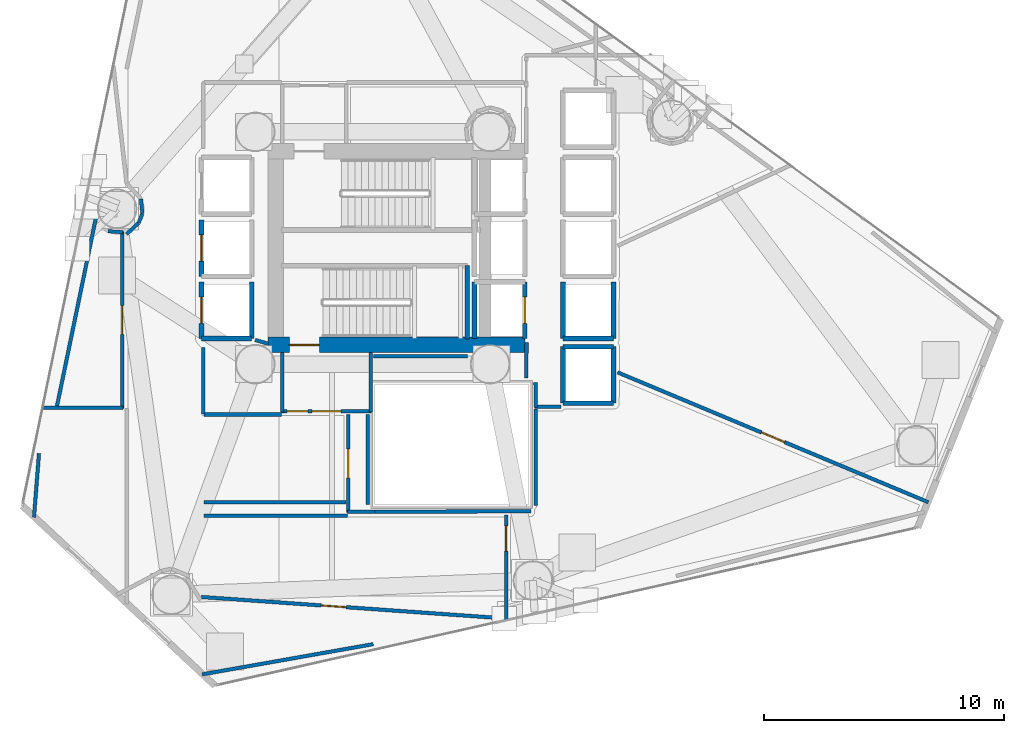
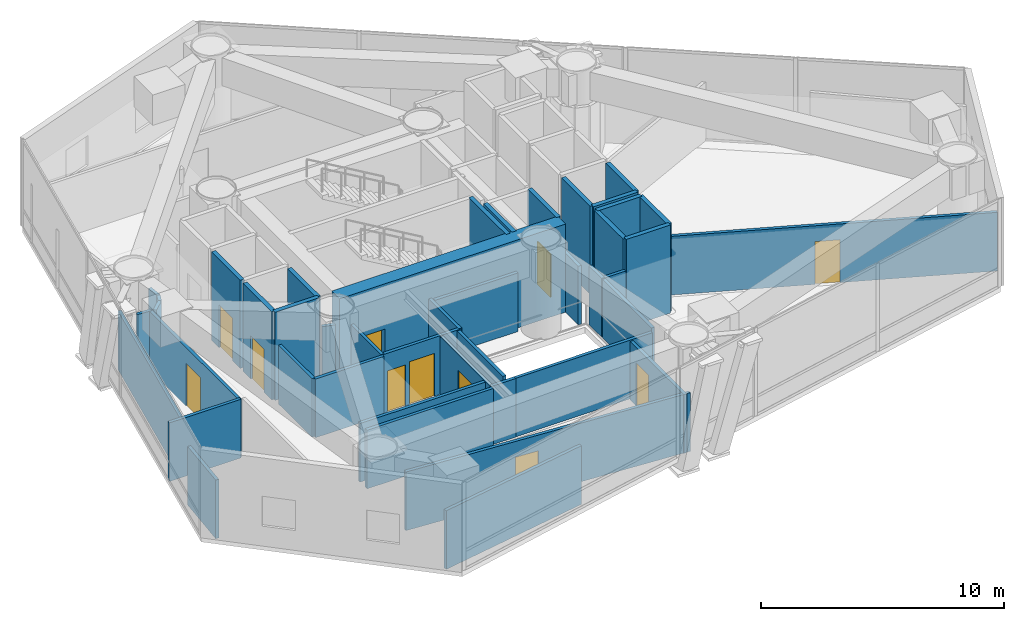
# One storey, part 17 of 22: 44 walls, 11 doors, 11 openings.
"""IFC4 building model written with IfcOpenShell, lengths in metres."""

from ifc_helpers import new_model, si_unit, direction, frame, frame_2d, origin, place, context, subcontext, project, spatial, rectangle, extrude, material, layer, layer_set, type_object, element, fill, save


model = new_model("IFC4")

# Units and contexts
model_context = context("Model", 3, precision=1e-05, world=origin(), true_north=direction((0.0, 1.0)))
body_context = subcontext(model_context, "Body", "Model", "MODEL_VIEW")
ifc_project = project(units=[si_unit("LENGTHUNIT", "METRE"), si_unit("AREAUNIT", "SQUARE_METRE"), si_unit("VOLUMEUNIT", "CUBIC_METRE"), si_unit("PLANEANGLEUNIT", "RADIAN"), si_unit("MASSUNIT", "GRAM", prefix="KILO")], contexts=[model_context])

# Site, building, storey
site_placement = place(None, origin())
site = spatial("IfcSite", under=ifc_project, at=site_placement, CompositionType="ELEMENT")
building_placement = place(site_placement, origin())
building = spatial("IfcBuilding", under=site, at=building_placement, Name="Qianvela Tower", CompositionType="ELEMENT")
storey_placement = place(building_placement, frame((0.0, 0.0, 93.199951171875)))
storey = spatial("IfcBuildingStorey", under=building, at=storey_placement, Name="L23", CompositionType="ELEMENT", Elevation=93.199951171875)

# Wall, opening, door
ifc_material_1 = material(Name="Concrete C60", Category="concrete")
ifc_layer_1 = layer(ifc_material_1, 0.64990234375)
ifc_layer_set_1 = layer_set([ifc_layer_1], Name="Concrete C60")
wall_type_1 = type_object("IfcWallType", Name="WT-CORE-650", PredefinedType="SHEAR", material=ifc_layer_set_1)
wall_1_placement = place(storey_placement, frame((29.1298828125, 24.655029296875, 0.0), z_axis=(0.0, 0.0, 1.0), x_axis=(1.0, 0.0, 0.0)))
wall_1 = element("IfcWall", 1, at=wall_1_placement, inside=storey, type_object=wall_type_1, Name="L23 South Core Shear Wall", PredefinedType="SHEAR", context=body_context, shape_type="SweptSolid", body=[
    extrude(rectangle(XDim=10.72021484375, YDim=0.64990234375, at=frame_2d((5.360107421875, 0.0))), origin(), (0.0, 0.0, 1.0), 4.420166015625),
])
opening_1_placement = place(wall_1_placement, frame((0.89501953125, 0.0, 0.0)))
opening_1 = element("IfcOpeningElement", 2, at=opening_1_placement, cuts=wall_1, Name="Opening D-ST1", PredefinedType="OPENING", context=body_context, shape_type="SweptSolid", body=[
    extrude(rectangle(XDim=1.25, YDim=2.14990234375, at=frame_2d((0.625, 1.074951171875))), frame((0.0, 0.3349609375, 0.0), z_axis=(0.0, -1.0, 0.0), x_axis=(1.0, 0.0, 0.0)), (0.0, 0.0, 1.0), 0.669921875),
])
ifc_material_2 = material(Name="Galvanised Fire Steel Q355B", Category="steel")
door_type_1 = type_object("IfcDoorType", Name="DT-STAIR-FD90", OperationType="NOTDEFINED", PredefinedType="DOOR", material=ifc_material_2)
door_1_placement = place(opening_1_placement, origin())
door_1 = element("IfcDoor", 3, at=door_1_placement, inside=storey, type_object=door_type_1, Name="L23 Stair ST-2 Exit Door", OperationType="SINGLE_SWING_LEFT", OverallHeight=2.14990234375, OverallWidth=1.25, PredefinedType="DOOR", context=body_context, shape_type="SweptSolid", body=[
    extrude(rectangle(XDim=1.25, YDim=2.14990234375, at=frame_2d((0.625, 1.074951171875))), frame((0.0, 0.02490234375, 0.0), z_axis=(0.0, -1.0, 0.0), x_axis=(1.0, 0.0, 0.0)), (0.0, 0.0, 1.0), 0.050048828125),
])
fill(opening_1, door_1)

# Wall, openings, doors
ifc_material_3 = material(Name="Fire-Rated Acoustic Gypsum Board")
ifc_layer_2 = layer(ifc_material_3, 0.14990234375)
ifc_layer_set_2 = layer_set([ifc_layer_2], Name="Fire-Rated Acoustic Gypsum Board")
wall_type_2 = type_object("IfcWallType", Name="WT-CORR-150", PredefinedType="PARTITIONING", material=ifc_layer_set_2)
wall_2_placement = place(storey_placement, frame((33.449951171875, 21.881103515625, 0.0), z_axis=(0.0, 0.0, 1.0), x_axis=(-1.0, 0.0, 0.0)))
wall_2 = element("IfcWall", 4, at=wall_2_placement, inside=storey, type_object=wall_type_2, Name="L23 Partition 5", PredefinedType="PARTITIONING", context=body_context, shape_type="SweptSolid", body=[
    extrude(rectangle(XDim=3.75, YDim=0.14990234375, at=frame_2d((1.875, 0.0))), origin(), (0.0, 0.0, 1.0), 2.93994140625),
])
opening_2_placement = place(wall_2_placement, frame((1.27490234375, 0.0, 0.0)))
opening_2 = element("IfcOpeningElement", 5, at=opening_2_placement, cuts=wall_2, Name="Opening D-LB1", PredefinedType="OPENING", context=body_context, shape_type="SweptSolid", body=[
    extrude(rectangle(XDim=1.199951171875, YDim=2.14990234375, at=frame_2d((0.60009765625, 1.074951171875))), frame((0.0, 0.0849609375, 0.0), z_axis=(0.0, -1.0, 0.0), x_axis=(1.0, 0.0, 0.0)), (0.0, 0.0, 1.0), 0.169921875),
])
opening_3_placement = place(wall_2_placement, frame((2.659912109375, 0.0, 0.0)))
opening_3 = element("IfcOpeningElement", 6, at=opening_3_placement, cuts=wall_2, Name="Opening D-LB2", PredefinedType="OPENING", context=body_context, shape_type="SweptSolid", body=[
    extrude(rectangle(XDim=0.860107421875, YDim=2.050048828125, at=frame_2d((0.43017578125, 1.02490234375))), frame((0.0, 0.0849609375, 0.0), z_axis=(0.0, -1.0, 0.0), x_axis=(1.0, 0.0, 0.0)), (0.0, 0.0, 1.0), 0.169921875),
])
ifc_material_4 = material(Name="Glazed Fire-Rated Steel Frame", Category="steel")
door_type_2 = type_object("IfcDoorType", Name="DT-LOBBY-FD90", OperationType="NOTDEFINED", PredefinedType="DOOR", material=ifc_material_4)
door_2_placement = place(opening_2_placement, origin())
door_2 = element("IfcDoor", 7, at=door_2_placement, inside=storey, type_object=door_type_2, Name="L23 Door L23 Firefighting Lobby South to L23 Mechanical Plant Corridor", OperationType="SINGLE_SWING_RIGHT", OverallHeight=2.14990234375, OverallWidth=1.199951171875, PredefinedType="DOOR", context=body_context, shape_type="SweptSolid", body=[
    extrude(rectangle(XDim=1.199951171875, YDim=2.14990234375, at=frame_2d((0.60009765625, 1.074951171875))), frame((0.0, 0.02490234375, 0.0), z_axis=(0.0, -1.0, 0.0), x_axis=(1.0, 0.0, 0.0)), (0.0, 0.0, 1.0), 0.050048828125),
])
fill(opening_2, door_2)
ifc_material_5 = material(Name="Insulated Steel Fire Door Q355B", Category="steel")
door_type_3 = type_object("IfcDoorType", Name="DT-LOBBY-FD90-860", OperationType="NOTDEFINED", PredefinedType="DOOR", material=ifc_material_5)
door_3_placement = place(opening_3_placement, origin())
door_3 = element("IfcDoor", 8, at=door_3_placement, inside=storey, type_object=door_type_3, Name="L23 Door L23 Firefighting Lobby South to L23 Mechanical Plant Corridor", OperationType="SINGLE_SWING_RIGHT", OverallHeight=2.050048828125, OverallWidth=0.860107421875, PredefinedType="DOOR", context=body_context, shape_type="SweptSolid", body=[
    extrude(rectangle(XDim=0.860107421875, YDim=2.050048828125, at=frame_2d((0.43017578125, 1.02490234375))), frame((0.0, 0.02490234375, 0.0), z_axis=(0.0, -1.0, 0.0), x_axis=(1.0, 0.0, 0.0)), (0.0, 0.0, 1.0), 0.050048828125),
])
fill(opening_3, door_3)

# Walls
for number, where, z_axis, x_axis, name in (
    (9, (29.73095703125, 21.85009765625, 0.0), (0.0, 0.0, 1.0), (0.0, 1.0, 0.0), "L23 Partition 6"),
    (10, (33.4189453125, 24.342041015625, 0.0), (0.0, 0.0, 1.0), (0.0, -1.0, 0.0), "L23 Partition 8"),
):
    element("IfcWall", number, at=place(storey_placement, frame(where, z_axis=z_axis, x_axis=x_axis)), inside=storey, type_object=wall_type_2, Name=name, PredefinedType="PARTITIONING", context=body_context, shape_type="SweptSolid", body=[
        extrude(rectangle(XDim=2.491943359375, YDim=0.14990234375, at=frame_2d((1.24609375, 0.0))), origin(), (0.0, 0.0, 1.0), 2.93994140625),
    ])
wall_3_placement = place(storey_placement, frame((41.360107421875, 22.0810546875, 0.0), z_axis=(0.0, 0.0, 1.0), x_axis=(-1.0, 0.0, 0.0)))
element("IfcWall", 11, at=wall_3_placement, inside=storey, type_object=wall_type_2, Name="L23 Partition 15", PredefinedType="PARTITIONING", context=body_context, shape_type="SweptSolid", body=[
    extrude(rectangle(XDim=1.080078125, YDim=0.14990234375, at=frame_2d((0.5400390625, 0.0))), origin(), (0.0, 0.0, 1.0), 2.93994140625),
])
wall_4_placement = place(storey_placement, frame((40.31103515625, 22.05029296875, 0.0), z_axis=(0.0, 0.0, 1.0), x_axis=(-0.011836292006, 0.999929948642, 0.0)))
element("IfcWall", 12, at=wall_4_placement, inside=storey, type_object=wall_type_2, Name="L23 Partition 16", PredefinedType="PARTITIONING", context=body_context, shape_type="SweptSolid", body=[
    extrude(rectangle(XDim=1.03125, YDim=0.14990234375, at=frame_2d((0.515625, 0.0))), origin(), (0.0, 0.0, 1.0), 2.93994140625),
])
wall_5_placement = place(storey_placement, frame((39.910888671875, 23.27978515625, 0.0), z_axis=(0.0, 0.0, 1.0), x_axis=(0.009397771291, 0.999955839972, 0.0)))
element("IfcWall", 13, at=wall_5_placement, inside=storey, type_object=wall_type_2, Name="L23 Partition 17", PredefinedType="PARTITIONING", context=body_context, shape_type="SweptSolid", body=[
    extrude(rectangle(XDim=1.480712890625, YDim=0.14990234375, at=frame_2d((0.740234375, 0.0))), origin(), (0.0, 0.0, 1.0), 2.93994140625),
])
wall_6_placement = place(storey_placement, frame((29.1298828125, 24.706298828125, 0.0), z_axis=(0.0, 0.0, 1.0), x_axis=(-0.960451214223, 0.278448316742, 0.0)))
element("IfcWall", 14, at=wall_6_placement, inside=storey, type_object=wall_type_2, Name="L23 Partition 23", PredefinedType="PARTITIONING", context=body_context, shape_type="SweptSolid", body=[
    extrude(rectangle(XDim=0.56201171875, YDim=0.14990234375, at=frame_2d((0.281005859375, 0.0))), origin(), (0.0, 0.0, 1.0), 2.93994140625),
])
wall_7_placement = place(storey_placement, frame((37.466552734375, 24.180908203125, 0.0), z_axis=(0.0, 0.0, 1.0), x_axis=(-1.0, 0.0, 0.0)))
element("IfcWall", 15, at=wall_7_placement, inside=storey, type_object=wall_type_2, Name="L23 Partition 30", PredefinedType="PARTITIONING", context=body_context, shape_type="SweptSolid", body=[
    extrude(rectangle(XDim=3.9365234375, YDim=0.14990234375, at=frame_2d((1.96826171875, 0.0))), origin(), (0.0, 0.0, 1.0), 2.93994140625),
])
wall_8_placement = place(storey_placement, frame((22.4501953125, 29.39892578125, 0.0), z_axis=(0.0, 0.0, 1.0), x_axis=(0.998165654987, -0.060541929307, 0.0)))
element("IfcWall", 16, at=wall_8_placement, inside=storey, type_object=wall_type_2, Name="L23 Partition 32", PredefinedType="PARTITIONING", context=body_context, shape_type="SweptSolid", body=[
    extrude(rectangle(XDim=0.629150390625, YDim=0.14990234375, at=frame_2d((0.314453125, 0.0))), origin(), (0.0, 0.0, 1.0), 2.93994140625),
])

# Wall, opening, door
wall_9_placement = place(storey_placement, frame((23.049072265625, 29.391845703125, 0.0), z_axis=(0.0, 0.0, 1.0), x_axis=(0.0, -1.0, 0.0)))
wall_9 = element("IfcWall", 17, at=wall_9_placement, inside=storey, type_object=wall_type_2, Name="L23 Partition 33", PredefinedType="PARTITIONING", context=body_context, shape_type="SweptSolid", body=[
    extrude(rectangle(XDim=7.391845703125, YDim=0.14990234375, at=frame_2d((3.69580078125, 0.0))), origin(), (0.0, 0.0, 1.0), 2.93994140625),
])
opening_4_placement = place(wall_9_placement, frame((3.095947265625, 0.0, 0.0)))
opening_4 = element("IfcOpeningElement", 18, at=opening_4_placement, cuts=wall_9, Name="Opening D-LB1", PredefinedType="OPENING", context=body_context, shape_type="SweptSolid", body=[
    extrude(rectangle(XDim=1.199951171875, YDim=2.14990234375, at=frame_2d((0.60009765625, 1.074951171875))), frame((0.0, 0.0849609375, 0.0), z_axis=(0.0, -1.0, 0.0), x_axis=(1.0, 0.0, 0.0)), (0.0, 0.0, 1.0), 0.169921875),
])
door_4_placement = place(opening_4_placement, origin())
door_4 = element("IfcDoor", 19, at=door_4_placement, inside=storey, type_object=door_type_2, Name="L23 Door L23 Fire Refuge Area North to L23 Mechanical Plant Corridor", OperationType="SINGLE_SWING_RIGHT", OverallHeight=2.14990234375, OverallWidth=1.199951171875, PredefinedType="DOOR", context=body_context, shape_type="SweptSolid", body=[
    extrude(rectangle(XDim=1.199951171875, YDim=2.14990234375, at=frame_2d((0.60009765625, 1.074951171875))), frame((0.0, 0.02490234375, 0.0), z_axis=(0.0, -1.0, 0.0), x_axis=(1.0, 0.0, 0.0)), (0.0, 0.0, 1.0), 0.050048828125),
])
fill(opening_4, door_4)

# Walls
wall_10_placement = place(storey_placement, frame((23.080078125, 22.031005859375, 0.0), z_axis=(0.0, 0.0, 1.0), x_axis=(-1.0, 0.0, 0.0)))
element("IfcWall", 20, at=wall_10_placement, inside=storey, type_object=wall_type_2, Name="L23 Partition 34", PredefinedType="PARTITIONING", context=body_context, shape_type="SweptSolid", body=[
    extrude(rectangle(XDim=3.38330078125, YDim=0.14990234375, at=frame_2d((1.691650390625, 0.0))), origin(), (0.0, 0.0, 1.0), 2.93994140625),
])
wall_11_placement = place(storey_placement, frame((20.297119140625, 21.99365234375, 0.0), z_axis=(0.0, 0.0, 1.0), x_axis=(0.202453924761, 0.979291789177, 0.0)))
element("IfcWall", 21, at=wall_11_placement, inside=storey, type_object=wall_type_2, Name="L23 Partition 35", PredefinedType="PARTITIONING", context=body_context, shape_type="SweptSolid", body=[
    extrude(rectangle(XDim=8.1435546875, YDim=0.14990234375, at=frame_2d((4.07177734375, 0.0))), origin(), (0.0, 0.0, 1.0), 2.93994140625),
])
wall_12_placement = place(storey_placement, frame((33.60009765625, 17.68896484375, 0.0), z_axis=(0.0, 0.0, 1.0), x_axis=(0.999995817826, 0.002892115308, 0.0)))
element("IfcWall", 22, at=wall_12_placement, inside=storey, type_object=wall_type_2, Name="L23 Partition 36", PredefinedType="PARTITIONING", context=body_context, shape_type="SweptSolid", body=[
    extrude(rectangle(XDim=6.5, YDim=0.14990234375, at=frame_2d((3.25, 0.0))), origin(), (0.0, 0.0, 1.0), 2.93994140625),
])
wall_13_placement = place(storey_placement, frame((33.60009765625, 17.680908203125, 0.0), z_axis=(0.0, 0.0, 1.0), x_axis=(-1.0, 0.0, 0.0)))
element("IfcWall", 23, at=wall_13_placement, inside=storey, type_object=wall_type_2, Name="L23 Partition 37 seg 1", PredefinedType="PARTITIONING", context=body_context, shape_type="SweptSolid", body=[
    extrude(rectangle(XDim=1.150146484375, YDim=0.14990234375, at=frame_2d((0.5751953125, 0.0))), origin(), (0.0, 0.0, 1.0), 2.93994140625),
])

# Wall, opening, door
wall_14_placement = place(storey_placement, frame((32.48095703125, 17.64990234375, 0.0), z_axis=(0.0, 0.0, 1.0), x_axis=(0.0, 1.0, 0.0)))
wall_14 = element("IfcWall", 24, at=wall_14_placement, inside=storey, type_object=wall_type_2, Name="L23 Partition 38", PredefinedType="PARTITIONING", context=body_context, shape_type="SweptSolid", body=[
    extrude(rectangle(XDim=4.10009765625, YDim=0.14990234375, at=frame_2d((2.050048828125, 0.0))), origin(), (0.0, 0.0, 1.0), 2.93994140625),
])
opening_5_placement = place(wall_14_placement, frame((1.449951171875, 0.0, 0.0)))
opening_5 = element("IfcOpeningElement", 25, at=opening_5_placement, cuts=wall_14, Name="Opening D-LB1", PredefinedType="OPENING", context=body_context, shape_type="SweptSolid", body=[
    extrude(rectangle(XDim=1.199951171875, YDim=2.14990234375, at=frame_2d((0.60009765625, 1.074951171875))), frame((0.0, 0.0849609375, 0.0), z_axis=(0.0, -1.0, 0.0), x_axis=(1.0, 0.0, 0.0)), (0.0, 0.0, 1.0), 0.169921875),
])
door_5_placement = place(opening_5_placement, origin())
door_5 = element("IfcDoor", 26, at=door_5_placement, inside=storey, type_object=door_type_2, Name="L23 Door L23 Fire Refuge Area South to L23 Mechanical Plant Corridor", OperationType="SINGLE_SWING_LEFT", OverallHeight=2.14990234375, OverallWidth=1.199951171875, PredefinedType="DOOR", context=body_context, shape_type="SweptSolid", body=[
    extrude(rectangle(XDim=1.199951171875, YDim=2.14990234375, at=frame_2d((0.60009765625, 1.074951171875))), frame((0.0, 0.02490234375, 0.0), z_axis=(0.0, -1.0, 0.0), x_axis=(1.0, 0.0, 0.0)), (0.0, 0.0, 1.0), 0.050048828125),
])
fill(opening_5, door_5)

# Walls
wall_15_placement = place(storey_placement, frame((33.2890625, 21.75, 0.0), z_axis=(0.0, 0.0, 1.0), x_axis=(0.0, -1.0, 0.0)))
element("IfcWall", 27, at=wall_15_placement, inside=storey, type_object=wall_type_2, Name="L23 Partition 39", PredefinedType="PARTITIONING", context=body_context, shape_type="SweptSolid", body=[
    extrude(rectangle(XDim=3.75, YDim=0.14990234375, at=frame_2d((1.875, 0.0))), origin(), (0.0, 0.0, 1.0), 2.93994140625),
])
wall_16_placement = place(storey_placement, frame((23.7265625, 29.74755859375, 0.0), z_axis=(0.0, 0.0, 1.0), x_axis=(0.382616209997, 0.923907374063, 0.0)))
element("IfcWall", 28, at=wall_16_placement, inside=storey, type_object=wall_type_2, Name="L23 Partition 40", PredefinedType="PARTITIONING", context=body_context, shape_type="SweptSolid", body=[
    extrude(rectangle(XDim=0.40771484375, YDim=0.14990234375, at=frame_2d((0.203857421875, 0.0))), origin(), (0.0, 0.0, 1.0), 2.93994140625),
])
wall_17_placement = place(storey_placement, frame((23.884765625, 30.13916015625, 0.0), z_axis=(0.0, 0.0, 1.0), x_axis=(-0.0981888168, 0.995167803064, 0.0)))
element("IfcWall", 29, at=wall_17_placement, inside=storey, type_object=wall_type_2, Name="L23 Partition 41", PredefinedType="PARTITIONING", context=body_context, shape_type="SweptSolid", body=[
    extrude(rectangle(XDim=0.606689453125, YDim=0.14990234375, at=frame_2d((0.30322265625, 0.0))), origin(), (0.0, 0.0, 1.0), 2.93994140625),
])
wall_18_placement = place(storey_placement, frame((26.4189453125, 24.54833984375, 0.0), z_axis=(0.0, 0.0, 1.0), x_axis=(0.0, -1.0, 0.0)))
element("IfcWall", 30, at=wall_18_placement, inside=storey, type_object=wall_type_2, Name="L23 Partition 52", PredefinedType="PARTITIONING", context=body_context, shape_type="SweptSolid", body=[
    extrude(rectangle(XDim=2.768310546875, YDim=0.14990234375, at=frame_2d((1.38427734375, 0.0))), origin(), (0.0, 0.0, 1.0), 2.93994140625),
])
wall_19_placement = place(storey_placement, frame((26.449951171875, 21.7490234375, 0.0), z_axis=(0.0, 0.0, 1.0), x_axis=(1.0, 0.0, 0.0)))
element("IfcWall", 31, at=wall_19_placement, inside=storey, type_object=wall_type_2, Name="L23 Partition 53 seg 1", PredefinedType="PARTITIONING", context=body_context, shape_type="SweptSolid", body=[
    extrude(rectangle(XDim=3.25, YDim=0.14990234375, at=frame_2d((1.625, 0.0))), origin(), (0.0, 0.0, 1.0), 2.93994140625),
])
wall_20_placement = place(storey_placement, frame((32.387939453125, 18.0810546875, 0.0), z_axis=(0.0, 0.0, 1.0), x_axis=(-1.0, 0.0, 0.0)))
element("IfcWall", 32, at=wall_20_placement, inside=storey, type_object=wall_type_2, Name="L23 Partition 55", PredefinedType="PARTITIONING", context=body_context, shape_type="SweptSolid", body=[
    extrude(rectangle(XDim=5.93798828125, YDim=0.14990234375, at=frame_2d((2.968994140625, 0.0))), origin(), (0.0, 0.0, 1.0), 2.93994140625),
])
wall_21_placement = place(storey_placement, frame((26.449951171875, 17.51904296875, 0.0), z_axis=(0.0, 0.0, 1.0), x_axis=(1.0, 0.0, 0.0)))
element("IfcWall", 33, at=wall_21_placement, inside=storey, type_object=wall_type_2, Name="L23 Partition 56 seg 1", PredefinedType="PARTITIONING", context=body_context, shape_type="SweptSolid", body=[
    extrude(rectangle(XDim=6.0, YDim=0.14990234375, at=frame_2d((3.0, 0.0))), origin(), (0.0, 0.0, 1.0), 2.93994140625),
])

# Wall, opening, door
wall_22_placement = place(storey_placement, frame((39.069091796875, 17.550048828125, 0.0), z_axis=(0.0, 0.0, 1.0), x_axis=(0.0, -1.0, 0.0)))
wall_22 = element("IfcWall", 34, at=wall_22_placement, inside=storey, type_object=wall_type_2, Name="L23 Partition 57", PredefinedType="PARTITIONING", context=body_context, shape_type="SweptSolid", body=[
    extrude(rectangle(XDim=4.407958984375, YDim=0.14990234375, at=frame_2d((2.2041015625, 0.0))), origin(), (0.0, 0.0, 1.0), 2.93994140625),
])
opening_6_placement = place(wall_22_placement, frame((0.455078125, 0.0, 0.0)))
opening_6 = element("IfcOpeningElement", 35, at=opening_6_placement, cuts=wall_22, Name="Opening D-PL1", PredefinedType="OPENING", context=body_context, shape_type="SweptSolid", body=[
    extrude(rectangle(XDim=1.050048828125, YDim=2.14990234375, at=frame_2d((0.52490234375, 1.074951171875))), frame((0.0, 0.0849609375, 0.0), z_axis=(0.0, -1.0, 0.0), x_axis=(1.0, 0.0, 0.0)), (0.0, 0.0, 1.0), 0.169921875),
])
ifc_material_6 = material(Name="Insulated Steel Fire Door Q355B", Category="steel")
door_type_4 = type_object("IfcDoorType", Name="DT-PLANT-FD90", OperationType="NOTDEFINED", PredefinedType="DOOR", material=ifc_material_6)
door_6_placement = place(opening_6_placement, origin())
door_6 = element("IfcDoor", 36, at=door_6_placement, inside=storey, type_object=door_type_4, Name="L23 Door L23 Fire Pump Room to L23 Mechanical Plant Corridor", OperationType="SINGLE_SWING_RIGHT", OverallHeight=2.14990234375, OverallWidth=1.050048828125, PredefinedType="DOOR", context=body_context, shape_type="SweptSolid", body=[
    extrude(rectangle(XDim=1.050048828125, YDim=2.14990234375, at=frame_2d((0.52490234375, 1.074951171875))), frame((0.0, 0.02490234375, 0.0), z_axis=(0.0, -1.0, 0.0), x_axis=(1.0, 0.0, 0.0)), (0.0, 0.0, 1.0), 0.050048828125),
])
fill(opening_6, door_6)

wall_23_placement = place(storey_placement, frame((39.305908203125, 13.215087890625, 0.0), z_axis=(0.0, 0.0, 1.0), x_axis=(-0.997511458512, 0.07050453983, 0.0)))
wall_23 = element("IfcWall", 37, at=wall_23_placement, inside=storey, type_object=wall_type_2, Name="L23 Partition 58", PredefinedType="PARTITIONING", context=body_context, shape_type="SweptSolid", body=[
    extrude(rectangle(XDim=12.9921875, YDim=0.14990234375, at=frame_2d((6.49609375, 0.0))), origin(), (0.0, 0.0, 1.0), 2.93994140625),
])
opening_7_placement = place(wall_23_placement, frame((6.92724609375, 0.0, 0.0)))
opening_7 = element("IfcOpeningElement", 38, at=opening_7_placement, cuts=wall_23, Name="Opening D-PL1", PredefinedType="OPENING", context=body_context, shape_type="SweptSolid", body=[
    extrude(rectangle(XDim=1.050048828125, YDim=2.14990234375, at=frame_2d((0.52490234375, 1.074951171875))), frame((0.0, 0.0849609375, 0.0), z_axis=(0.0, -1.0, 0.0), x_axis=(1.0, 0.0, 0.0)), (0.0, 0.0, 1.0), 0.169921875),
])
door_7_placement = place(opening_7_placement, origin())
door_7 = element("IfcDoor", 39, at=door_7_placement, inside=storey, type_object=door_type_4, Name="L23 Door L23 Electrical Transformer and Switch Room to L23 Mechanical Plant Corridor", OperationType="SINGLE_SWING_LEFT", OverallHeight=2.14990234375, OverallWidth=1.050048828125, PredefinedType="DOOR", context=body_context, shape_type="SweptSolid", body=[
    extrude(rectangle(XDim=1.050048828125, YDim=2.14990234375, at=frame_2d((0.52490234375, 1.074951171875))), frame((0.0, 0.02490234375, 0.0), z_axis=(0.0, -1.0, 0.0), x_axis=(1.0, 0.0, 0.0)), (0.0, 0.0, 1.0), 0.050048828125),
])
fill(opening_7, door_7)

# Walls
wall_24_placement = place(storey_placement, frame((23.220947265625, 29.2763671875, 0.0), z_axis=(0.0, 0.0, 1.0), x_axis=(0.734278838715, 0.678847985204, 0.0)))
element("IfcWall", 40, at=wall_24_placement, inside=storey, type_object=wall_type_2, Name="L23 Partition 64", PredefinedType="PARTITIONING", context=body_context, shape_type="SweptSolid", body=[
    extrude(rectangle(XDim=0.67822265625, YDim=0.14990234375, at=frame_2d((0.339111328125, 0.0))), origin(), (0.0, 0.0, 1.0), 2.93994140625),
])
wall_25_placement = place(storey_placement, frame((33.5263671875, 12.16162109375, 0.0), z_axis=(0.0, 0.0, 1.0), x_axis=(-0.984746635423, -0.173994436761, 0.0)))
element("IfcWall", 41, at=wall_25_placement, inside=storey, type_object=wall_type_2, Name="L23 Partition 76 seg 1", PredefinedType="PARTITIONING", context=body_context, shape_type="SweptSolid", body=[
    extrude(rectangle(XDim=7.260009765625, YDim=0.14990234375, at=frame_2d((3.6298828125, 0.0))), origin(), (0.0, 0.0, 1.0), 2.93994140625),
])
wall_26_placement = place(storey_placement, frame((19.359375, 17.45703125, 0.0), z_axis=(0.0, 0.0, 1.0), x_axis=(0.077965556161, 0.99695605322, 0.0)))
element("IfcWall", 42, at=wall_26_placement, inside=storey, type_object=wall_type_2, Name="L23 Partition 78 seg 1", PredefinedType="PARTITIONING", context=body_context, shape_type="SweptSolid", body=[
    extrude(rectangle(XDim=2.67724609375, YDim=0.14990234375, at=frame_2d((1.338623046875, 0.0))), origin(), (0.0, 0.0, 1.0), 2.93994140625),
])

# Wall, opening, door
wall_27_placement = place(storey_placement, frame((56.701904296875, 18.0859375, 0.0), z_axis=(0.0, 0.0, 1.0), x_axis=(-0.922688059658, 0.385547331161, 0.0)))
wall_27 = element("IfcWall", 43, at=wall_27_placement, inside=storey, type_object=wall_type_2, Name="L23 Partition 85", PredefinedType="PARTITIONING", context=body_context, shape_type="SweptSolid", body=[
    extrude(rectangle(XDim=14.0595703125, YDim=0.14990234375, at=frame_2d((7.02978515625, 0.0))), origin(), (0.0, 0.0, 1.0), 2.93994140625),
])
opening_8_placement = place(wall_27_placement, frame((6.5048828125, 0.0, 0.0)))
opening_8 = element("IfcOpeningElement", 44, at=opening_8_placement, cuts=wall_27, Name="Opening D-PL1", PredefinedType="OPENING", context=body_context, shape_type="SweptSolid", body=[
    extrude(rectangle(XDim=1.050048828125, YDim=2.14990234375, at=frame_2d((0.52490234375, 1.074951171875))), frame((0.0, 0.0849609375, 0.0), z_axis=(0.0, -1.0, 0.0), x_axis=(1.0, 0.0, 0.0)), (0.0, 0.0, 1.0), 0.169921875),
])
door_8_placement = place(opening_8_placement, origin())
door_8 = element("IfcDoor", 45, at=door_8_placement, inside=storey, type_object=door_type_4, Name="L23 Door L23 Hydronic Heat Exchanger Room to L23 Fire Pump Room", OperationType="SINGLE_SWING_LEFT", OverallHeight=2.14990234375, OverallWidth=1.050048828125, PredefinedType="DOOR", context=body_context, shape_type="SweptSolid", body=[
    extrude(rectangle(XDim=1.050048828125, YDim=2.14990234375, at=frame_2d((0.52490234375, 1.074951171875))), frame((0.0, 0.02490234375, 0.0), z_axis=(0.0, -1.0, 0.0), x_axis=(1.0, 0.0, 0.0)), (0.0, 0.0, 1.0), 0.050048828125),
])
fill(opening_8, door_8)

# Walls
wall_28_placement = place(storey_placement, frame((40.3056640625, 17.9453125, 0.0), z_axis=(0.0, 0.0, 1.0), x_axis=(0.001334545369, 0.999999109494, 0.0)))
element("IfcWall", 46, at=wall_28_placement, inside=storey, type_object=wall_type_2, Name="L23 Partition 88 seg 1", PredefinedType="PARTITIONING", context=body_context, shape_type="SweptSolid", body=[
    extrude(rectangle(XDim=4.024658203125, YDim=0.14990234375, at=frame_2d((2.01220703125, 0.0))), origin(), (0.0, 0.0, 1.0), 2.93994140625),
])
ifc_material_7 = material(Name="Concrete C50", Category="concrete")
ifc_layer_3 = layer(ifc_material_7, 0.199951171875)
ifc_layer_set_3 = layer_set([ifc_layer_3], Name="Concrete C50")
wall_type_3 = type_object("IfcWallType", Name="WT-SHAFT-200", PredefinedType="SOLIDWALL", material=ifc_layer_set_3)
wall_29_placement = place(storey_placement, frame((37.449951171875, 24.89990234375, 0.0), z_axis=(0.0, 0.0, 1.0), x_axis=(0.0, 1.0, 0.0)))
element("IfcWall", 47, at=wall_29_placement, inside=storey, type_object=wall_type_3, Name="L23 Stair ST-2 East Wall", PredefinedType="SOLIDWALL", context=body_context, shape_type="SweptSolid", body=[
    extrude(rectangle(XDim=3.06005859375, YDim=0.199951171875, at=frame_2d((1.530029296875, 0.0))), origin(), (0.0, 0.0, 1.0), 4.420166015625),
])

# Wall, opening, door
wall_30_placement = place(storey_placement, frame((39.85009765625, 24.919921875, 0.0), z_axis=(0.0, 0.0, 1.0), x_axis=(0.0, 1.0, 0.0)))
wall_30 = element("IfcWall", 48, at=wall_30_placement, inside=storey, type_object=wall_type_3, Name="L23 Lift FL-2 E Shaft Wall", PredefinedType="SOLIDWALL", context=body_context, shape_type="SweptSolid", body=[
    extrude(rectangle(XDim=2.360107421875, YDim=0.199951171875, at=frame_2d((1.18017578125, 0.0))), origin(), (0.0, 0.0, 1.0), 4.420166015625),
])
opening_9_placement = place(wall_30_placement, frame((0.6298828125, 0.0, 0.0)))
opening_9 = element("IfcOpeningElement", 49, at=opening_9_placement, cuts=wall_30, Name="Opening LD-01", PredefinedType="OPENING", context=body_context, shape_type="SweptSolid", body=[
    extrude(rectangle(XDim=1.10009765625, YDim=2.14990234375, at=frame_2d((0.550048828125, 1.074951171875))), frame((0.0, 0.10986328125, 0.0), z_axis=(0.0, -1.0, 0.0), x_axis=(1.0, 0.0, 0.0)), (0.0, 0.0, 1.0), 0.219970703125),
])
ifc_material_8 = material(Name="Brushed Stainless Steel Lift Landing Door", Category="steel")
door_type_5 = type_object("IfcDoorType", Name="DT-LIFT-SLIDE-1100", OperationType="SLIDING_TO_LEFT", PredefinedType="DOOR", material=ifc_material_8)
door_9_placement = place(opening_9_placement, origin())
door_9 = element("IfcDoor", 50, at=door_9_placement, inside=storey, type_object=door_type_5, Name="L23 Lift FL-2 Sliding Landing Door", OperationType="SLIDING_TO_LEFT", OverallHeight=2.14990234375, OverallWidth=1.10009765625, PredefinedType="DOOR", context=body_context, shape_type="SweptSolid", body=[
    extrude(rectangle(XDim=1.10009765625, YDim=2.14990234375, at=frame_2d((0.550048828125, 1.074951171875))), frame((0.0, 0.02490234375, 0.0), z_axis=(0.0, -1.0, 0.0), x_axis=(1.0, 0.0, 0.0)), (0.0, 0.0, 1.0), 0.050048828125),
])
fill(opening_9, door_9)

# Wall
wall_31_placement = place(storey_placement, frame((37.75, 24.919921875, 0.0), z_axis=(0.0, 0.0, 1.0), x_axis=(0.0, 1.0, 0.0)))
element("IfcWall", 51, at=wall_31_placement, inside=storey, type_object=wall_type_3, Name="L23 Lift FL-2 W Shaft Wall", PredefinedType="SOLIDWALL", context=body_context, shape_type="SweptSolid", body=[
    extrude(rectangle(XDim=2.360107421875, YDim=0.199951171875, at=frame_2d((1.18017578125, 0.0))), origin(), (0.0, 0.0, 1.0), 4.420166015625),
])

# Wall, opening, door
wall_32_placement = place(storey_placement, frame((26.35009765625, 27.52001953125, 0.0), z_axis=(0.0, 0.0, 1.0), x_axis=(0.0, 1.0, 0.0)))
wall_32 = element("IfcWall", 52, at=wall_32_placement, inside=storey, type_object=wall_type_3, Name="L23 Lift PL-L2 W Shaft Wall", PredefinedType="SOLIDWALL", context=body_context, shape_type="SweptSolid", body=[
    extrude(rectangle(XDim=2.35986328125, YDim=0.199951171875, at=frame_2d((1.179931640625, 0.0))), origin(), (0.0, 0.0, 1.0), 4.420166015625),
])
opening_10_placement = place(wall_32_placement, frame((0.6298828125, 0.0, 0.0)))
opening_10 = element("IfcOpeningElement", 53, at=opening_10_placement, cuts=wall_32, Name="Opening LD-01", PredefinedType="OPENING", context=body_context, shape_type="SweptSolid", body=[
    extrude(rectangle(XDim=1.10009765625, YDim=2.14990234375, at=frame_2d((0.550048828125, 1.074951171875))), frame((0.0, 0.10986328125, 0.0), z_axis=(0.0, -1.0, 0.0), x_axis=(1.0, 0.0, 0.0)), (0.0, 0.0, 1.0), 0.219970703125),
])
door_10_placement = place(opening_10_placement, origin())
door_10 = element("IfcDoor", 54, at=door_10_placement, inside=storey, type_object=door_type_5, Name="L23 Lift PL-L2 Sliding Landing Door", OperationType="SLIDING_TO_LEFT", OverallHeight=2.14990234375, OverallWidth=1.10009765625, PredefinedType="DOOR", context=body_context, shape_type="SweptSolid", body=[
    extrude(rectangle(XDim=1.10009765625, YDim=2.14990234375, at=frame_2d((0.550048828125, 1.074951171875))), frame((0.0, 0.02490234375, 0.0), z_axis=(0.0, -1.0, 0.0), x_axis=(1.0, 0.0, 0.0)), (0.0, 0.0, 1.0), 0.050048828125),
])
fill(opening_10, door_10)

# Wall
wall_33_placement = place(storey_placement, frame((28.449951171875, 24.919921875, 0.0), z_axis=(0.0, 0.0, 1.0), x_axis=(0.0, 1.0, 0.0)))
element("IfcWall", 55, at=wall_33_placement, inside=storey, type_object=wall_type_3, Name="L23 Lift PL-L3 E Shaft Wall", PredefinedType="SOLIDWALL", context=body_context, shape_type="SweptSolid", body=[
    extrude(rectangle(XDim=2.360107421875, YDim=0.199951171875, at=frame_2d((1.18017578125, 0.0))), origin(), (0.0, 0.0, 1.0), 4.420166015625),
])

# Wall, opening, door
wall_34_placement = place(storey_placement, frame((26.35009765625, 24.919921875, 0.0), z_axis=(0.0, 0.0, 1.0), x_axis=(0.0, 1.0, 0.0)))
wall_34 = element("IfcWall", 56, at=wall_34_placement, inside=storey, type_object=wall_type_3, Name="L23 Lift PL-L3 W Shaft Wall", PredefinedType="SOLIDWALL", context=body_context, shape_type="SweptSolid", body=[
    extrude(rectangle(XDim=2.360107421875, YDim=0.199951171875, at=frame_2d((1.18017578125, 0.0))), origin(), (0.0, 0.0, 1.0), 4.420166015625),
])
opening_11_placement = place(wall_34_placement, frame((0.6298828125, 0.0, 0.0)))
opening_11 = element("IfcOpeningElement", 57, at=opening_11_placement, cuts=wall_34, Name="Opening LD-01", PredefinedType="OPENING", context=body_context, shape_type="SweptSolid", body=[
    extrude(rectangle(XDim=1.10009765625, YDim=2.14990234375, at=frame_2d((0.550048828125, 1.074951171875))), frame((0.0, 0.10986328125, 0.0), z_axis=(0.0, -1.0, 0.0), x_axis=(1.0, 0.0, 0.0)), (0.0, 0.0, 1.0), 0.219970703125),
])
door_11_placement = place(opening_11_placement, origin())
door_11 = element("IfcDoor", 58, at=door_11_placement, inside=storey, type_object=door_type_5, Name="L23 Lift PL-L3 Sliding Landing Door", OperationType="SLIDING_TO_LEFT", OverallHeight=2.14990234375, OverallWidth=1.10009765625, PredefinedType="DOOR", context=body_context, shape_type="SweptSolid", body=[
    extrude(rectangle(XDim=1.10009765625, YDim=2.14990234375, at=frame_2d((0.550048828125, 1.074951171875))), frame((0.0, 0.02490234375, 0.0), z_axis=(0.0, -1.0, 0.0), x_axis=(1.0, 0.0, 0.0)), (0.0, 0.0, 1.0), 0.050048828125),
])
fill(opening_11, door_11)

# Walls
wall_35_placement = place(storey_placement, frame((26.35009765625, 24.919921875, 0.0), z_axis=(0.0, 0.0, 1.0), x_axis=(1.0, 0.0, 0.0)))
element("IfcWall", 59, at=wall_35_placement, inside=storey, type_object=wall_type_3, Name="L23 Lift PL-L3 S Shaft Wall", PredefinedType="SOLIDWALL", context=body_context, shape_type="SweptSolid", body=[
    extrude(rectangle(XDim=2.099853515625, YDim=0.199951171875, at=frame_2d((1.0498046875, 0.0))), origin(), (0.0, 0.0, 1.0), 4.420166015625),
])
for number, where, z_axis, x_axis, name in (
    (60, (43.550048828125, 24.919921875, 0.0), (0.0, 0.0, 1.0), (0.0, 1.0, 0.0), "L23 Lift PL-M3 E Shaft Wall"),
    (61, (41.449951171875, 24.919921875, 0.0), (0.0, 0.0, 1.0), (0.0, 1.0, 0.0), "L23 Lift PL-M3 W Shaft Wall"),
):
    element("IfcWall", number, at=place(storey_placement, frame(where, z_axis=z_axis, x_axis=x_axis)), inside=storey, type_object=wall_type_3, Name=name, PredefinedType="SOLIDWALL", context=body_context, shape_type="SweptSolid", body=[
        extrude(rectangle(XDim=2.360107421875, YDim=0.199951171875, at=frame_2d((1.18017578125, 0.0))), origin(), (0.0, 0.0, 1.0), 4.420166015625),
    ])
wall_36_placement = place(storey_placement, frame((41.449951171875, 24.919921875, 0.0), z_axis=(0.0, 0.0, 1.0), x_axis=(1.0, 0.0, 0.0)))
element("IfcWall", 62, at=wall_36_placement, inside=storey, type_object=wall_type_3, Name="L23 Lift PL-M3 S Shaft Wall", PredefinedType="SOLIDWALL", context=body_context, shape_type="SweptSolid", body=[
    extrude(rectangle(XDim=2.10009765625, YDim=0.199951171875, at=frame_2d((1.050048828125, 0.0))), origin(), (0.0, 0.0, 1.0), 4.420166015625),
])
for number, where, z_axis, x_axis, name in (
    (63, (43.550048828125, 22.219970703125, 0.0), (0.0, 0.0, 1.0), (0.0, 1.0, 0.0), "L23 Lift PL-H2 E Shaft Wall"),
    (64, (41.449951171875, 22.219970703125, 0.0), (0.0, 0.0, 1.0), (0.0, 1.0, 0.0), "L23 Lift PL-H2 W Shaft Wall"),
):
    element("IfcWall", number, at=place(storey_placement, frame(where, z_axis=z_axis, x_axis=x_axis)), inside=storey, type_object=wall_type_3, Name=name, PredefinedType="SOLIDWALL", context=body_context, shape_type="SweptSolid", body=[
        extrude(rectangle(XDim=2.360107421875, YDim=0.199951171875, at=frame_2d((1.18017578125, 0.0))), origin(), (0.0, 0.0, 1.0), 4.420166015625),
    ])
for number, where, z_axis, x_axis, name in (
    (65, (41.449951171875, 24.580078125, 0.0), (0.0, 0.0, 1.0), (1.0, 0.0, 0.0), "L23 Lift PL-H2 N Shaft Wall"),
    (66, (41.449951171875, 22.219970703125, 0.0), (0.0, 0.0, 1.0), (1.0, 0.0, 0.0), "L23 Lift PL-H2 S Shaft Wall"),
):
    element("IfcWall", number, at=place(storey_placement, frame(where, z_axis=z_axis, x_axis=x_axis)), inside=storey, type_object=wall_type_3, Name=name, PredefinedType="SOLIDWALL", context=body_context, shape_type="SweptSolid", body=[
        extrude(rectangle(XDim=2.10009765625, YDim=0.199951171875, at=frame_2d((1.050048828125, 0.0))), origin(), (0.0, 0.0, 1.0), 4.420166015625),
    ])

save(model, "model.ifc")
